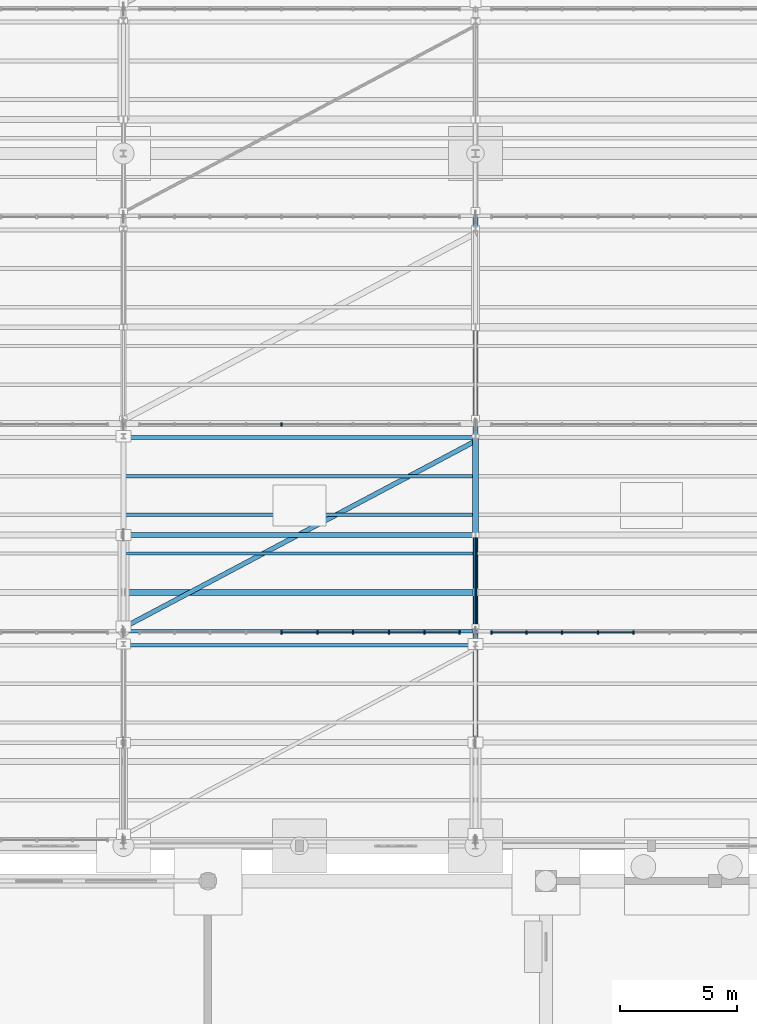
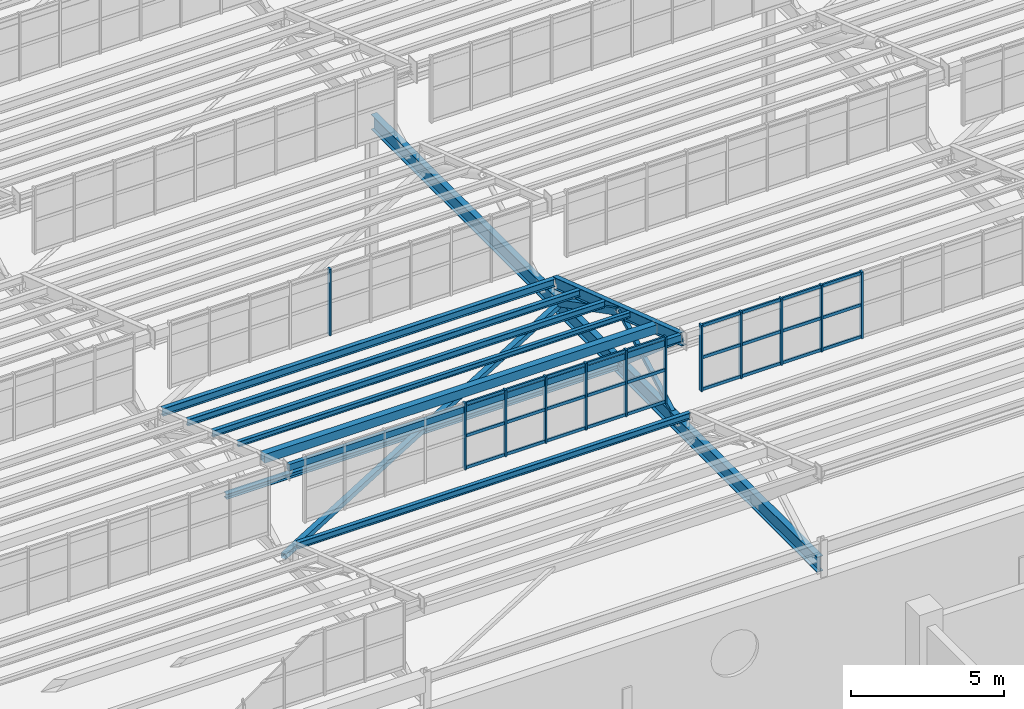
# One storey, part 84 of 285: 44 members, 9 beams, 3 elements without a shape of their own.
"""IFC4 building model written with IfcOpenShell, lengths in metres."""

from ifc_helpers import new_model, si_unit, direction, frame, origin, origin_2d, place, context, subcontext, project, spatial, rectangle, hollow_rectangle, i_section, extrude, material, material_profile, profile_set, type_object, element, aggregate, save


model = new_model("IFC4")

# Units and contexts
model_context = context("Model", 3, precision=1e-05, world=origin(), true_north=direction((0.0, 1.0)))
body_context = subcontext(model_context, "Body", "Model", "MODEL_VIEW")
ifc_project = project(units=[si_unit("LENGTHUNIT", "METRE"), si_unit("AREAUNIT", "SQUARE_METRE"), si_unit("VOLUMEUNIT", "CUBIC_METRE"), si_unit("PLANEANGLEUNIT", "RADIAN"), si_unit("MASSUNIT", "GRAM", prefix="KILO")], contexts=[model_context])

# Site, building, storey
site_placement = place(None, origin())
site = spatial("IfcSite", under=ifc_project, at=site_placement, CompositionType="ELEMENT")
building_placement = place(site_placement, origin())
building = spatial("IfcBuilding", under=site, at=building_placement, Name="Solanera Park Tramway Depot", CompositionType="ELEMENT")
storey_placement = place(building_placement, origin())
storey = spatial("IfcBuildingStorey", under=building, at=storey_placement, Name="L00", CompositionType="ELEMENT", Elevation=0.0)

# Curtain wall, members
ifc_material_1 = material(Name="Bronze-anodised thermally broken aluminium curtain wall", Category="aluminium")
curtain_wall_type = type_object("IfcCurtainWallType", Name="Sawtooth Clerestory Monitor Curtain Wall", PredefinedType="NOTDEFINED", material=ifc_material_1)
curtain_wall_1_placement = place(storey_placement, origin())
curtain_wall_1 = element("IfcCurtainWall", 1, at=curtain_wall_1_placement, inside=storey, type_object=curtain_wall_type, Name="L00 Sawtooth Clerestory Monitor Curtain Wall #009", PredefinedType="NOTDEFINED")
ifc_material_2 = material(Name="Bronze-anodised structural aluminium 6063-T6", Category="aluminium")
ifc_material_profile_1 = material_profile(ifc_material_2, rectangle(XDim=0.06494140625, YDim=0.14990234375, at=origin_2d()), Name="Curtain Wall Mullion 65x150")
ifc_profile_set_1 = profile_set([ifc_material_profile_1], Name="Bronze-anodised structural aluminium 6063-T6")
member_type_1 = type_object("IfcMemberType", Name="Curtain Wall Mullion 65x150", PredefinedType="MULLION", material=ifc_profile_set_1)
member_1_placement = place(storey_placement, frame((96.739013671875, 64.60009765625, 7.75), z_axis=(0.0, 0.0, 1.0), x_axis=(1.0, 0.0, 0.0)))
member_1 = element("IfcMember", 2, at=member_1_placement, type_object=member_type_1, Name="CW-L00-009 Mullion 5", PredefinedType="MULLION", context=body_context, shape_type="SweptSolid", body=[
    extrude(rectangle(XDim=0.06494140625, YDim=0.14990234375, at=origin_2d()), origin(), (0.0, 0.0, 1.0), 2.6611328125),
])
member_2_placement = place(storey_placement, frame((98.260986328125, 64.60009765625, 7.75), z_axis=(0.0, 0.0, 1.0), x_axis=(1.0, 0.0, 0.0)))
member_2 = element("IfcMember", 3, at=member_2_placement, type_object=member_type_1, Name="CW-L00-009 Mullion 6", PredefinedType="MULLION", context=body_context, shape_type="SweptSolid", body=[
    extrude(rectangle(XDim=0.06494140625, YDim=0.14990234375, at=origin_2d()), origin(), (0.0, 0.0, 1.0), 2.6611328125),
])
member_3_placement = place(storey_placement, frame((99.783203125, 64.60009765625, 7.75), z_axis=(0.0, 0.0, 1.0), x_axis=(1.0, 0.0, 0.0)))
member_3 = element("IfcMember", 4, at=member_3_placement, type_object=member_type_1, Name="CW-L00-009 Mullion 7", PredefinedType="MULLION", context=body_context, shape_type="SweptSolid", body=[
    extrude(rectangle(XDim=0.06494140625, YDim=0.14990234375, at=origin_2d()), origin(), (0.0, 0.0, 1.0), 2.6611328125),
])
member_4_placement = place(storey_placement, frame((101.3056640625, 64.60009765625, 7.75), z_axis=(0.0, 0.0, 1.0), x_axis=(1.0, 0.0, 0.0)))
member_4 = element("IfcMember", 5, at=member_4_placement, type_object=member_type_1, Name="CW-L00-009 Mullion 8", PredefinedType="MULLION", context=body_context, shape_type="SweptSolid", body=[
    extrude(rectangle(XDim=0.06494140625, YDim=0.14990234375, at=origin_2d()), origin(), (0.0, 0.0, 1.0), 2.6611328125),
])
member_5_placement = place(storey_placement, frame((102.827880859375, 64.60009765625, 7.75), z_axis=(0.0, 0.0, 1.0), x_axis=(1.0, 0.0, 0.0)))
member_5 = element("IfcMember", 6, at=member_5_placement, type_object=member_type_1, Name="CW-L00-009 Mullion 9", PredefinedType="MULLION", context=body_context, shape_type="SweptSolid", body=[
    extrude(rectangle(XDim=0.06494140625, YDim=0.14990234375, at=origin_2d()), origin(), (0.0, 0.0, 1.0), 2.6611328125),
])
member_6_placement = place(storey_placement, frame((104.3173828125, 64.60009765625, 7.75), z_axis=(0.0, 0.0, 1.0), x_axis=(1.0, 0.0, 0.0)))
member_6 = element("IfcMember", 7, at=member_6_placement, type_object=member_type_1, Name="CW-L00-009 Mullion 10", PredefinedType="MULLION", context=body_context, shape_type="SweptSolid", body=[
    extrude(rectangle(XDim=0.06494140625, YDim=0.14990234375, at=origin_2d()), origin(), (0.0, 0.0, 1.0), 2.6611328125),
])

curtain_wall_2_placement = place(storey_placement, origin())
curtain_wall_2 = element("IfcCurtainWall", 8, at=curtain_wall_2_placement, inside=storey, type_object=curtain_wall_type, Name="L00 Sawtooth Clerestory Monitor Curtain Wall #010", PredefinedType="NOTDEFINED")
member_7_placement = place(storey_placement, frame((105.6826171875, 64.60009765625, 7.75), z_axis=(0.0, 0.0, 1.0), x_axis=(1.0, 0.0, 0.0)))
member_7 = element("IfcMember", 9, at=member_7_placement, type_object=member_type_1, Name="CW-L00-010 Mullion 1", PredefinedType="MULLION", context=body_context, shape_type="SweptSolid", body=[
    extrude(rectangle(XDim=0.06494140625, YDim=0.14990234375, at=origin_2d()), origin(), (0.0, 0.0, 1.0), 2.6611328125),
])
member_8_placement = place(storey_placement, frame((107.172119140625, 64.60009765625, 7.75), z_axis=(0.0, 0.0, 1.0), x_axis=(1.0, 0.0, 0.0)))
member_8 = element("IfcMember", 10, at=member_8_placement, type_object=member_type_1, Name="CW-L00-010 Mullion 2", PredefinedType="MULLION", context=body_context, shape_type="SweptSolid", body=[
    extrude(rectangle(XDim=0.06494140625, YDim=0.14990234375, at=origin_2d()), origin(), (0.0, 0.0, 1.0), 2.6611328125),
])
member_9_placement = place(storey_placement, frame((108.6943359375, 64.60009765625, 7.75), z_axis=(0.0, 0.0, 1.0), x_axis=(1.0, 0.0, 0.0)))
member_9 = element("IfcMember", 11, at=member_9_placement, type_object=member_type_1, Name="CW-L00-010 Mullion 3", PredefinedType="MULLION", context=body_context, shape_type="SweptSolid", body=[
    extrude(rectangle(XDim=0.06494140625, YDim=0.14990234375, at=origin_2d()), origin(), (0.0, 0.0, 1.0), 2.6611328125),
])
member_10_placement = place(storey_placement, frame((110.216796875, 64.60009765625, 7.75), z_axis=(0.0, 0.0, 1.0), x_axis=(1.0, 0.0, 0.0)))
member_10 = element("IfcMember", 12, at=member_10_placement, type_object=member_type_1, Name="CW-L00-010 Mullion 4", PredefinedType="MULLION", context=body_context, shape_type="SweptSolid", body=[
    extrude(rectangle(XDim=0.06494140625, YDim=0.14990234375, at=origin_2d()), origin(), (0.0, 0.0, 1.0), 2.6611328125),
])
member_11_placement = place(storey_placement, frame((111.739013671875, 64.60009765625, 7.75), z_axis=(0.0, 0.0, 1.0), x_axis=(1.0, 0.0, 0.0)))
member_11 = element("IfcMember", 13, at=member_11_placement, type_object=member_type_1, Name="CW-L00-010 Mullion 5", PredefinedType="MULLION", context=body_context, shape_type="SweptSolid", body=[
    extrude(rectangle(XDim=0.06494140625, YDim=0.14990234375, at=origin_2d()), origin(), (0.0, 0.0, 1.0), 2.6611328125),
])

# Curtain wall, member
curtain_wall_3_placement = place(storey_placement, origin())
curtain_wall_3 = element("IfcCurtainWall", 14, at=curtain_wall_3_placement, inside=storey, type_object=curtain_wall_type, Name="L00 Sawtooth Clerestory Monitor Curtain Wall #017", PredefinedType="NOTDEFINED")
member_12_placement = place(storey_placement, frame((96.739013671875, 73.449951171875, 7.75), z_axis=(0.0, 0.0, 1.0), x_axis=(1.0, 0.0, 0.0)))
member_12 = element("IfcMember", 15, at=member_12_placement, type_object=member_type_1, Name="CW-L00-017 Mullion 5", PredefinedType="MULLION", context=body_context, shape_type="SweptSolid", body=[
    extrude(rectangle(XDim=0.06494140625, YDim=0.14990234375, at=origin_2d()), origin(), (0.0, 0.0, 1.0), 2.6611328125),
])
aggregate(curtain_wall_3, [member_12])

# Member
ifc_material_3 = material(Name="Bronze-anodised structural aluminium 6063-T6", Category="aluminium")
ifc_material_profile_2 = material_profile(ifc_material_3, rectangle(XDim=0.06494140625, YDim=0.1201171875, at=origin_2d()), Name="Curtain Wall Transom 65x120")
ifc_profile_set_2 = profile_set([ifc_material_profile_2], Name="Bronze-anodised structural aluminium 6063-T6")
member_type_2 = type_object("IfcMemberType", Name="Curtain Wall Transom 65x120", PredefinedType="USERDEFINED", material=ifc_profile_set_2)
member_13_placement = place(storey_placement, frame((96.766845703125, 64.60009765625, 7.81005859375), z_axis=(1.0, 0.0, 0.0), x_axis=(0.0, 1.0, 0.0)))
member_13 = element("IfcMember", 16, at=member_13_placement, type_object=member_type_2, Name="CW-L00-009 Transom R1.C5", ObjectType="TRANSOM", PredefinedType="USERDEFINED", context=body_context, shape_type="SweptSolid", body=[
    extrude(rectangle(XDim=0.06494140625, YDim=0.1201171875, at=origin_2d()), origin(), (0.0, 0.0, 1.0), 1.46630859375),
])

member_14_placement = place(storey_placement, frame((98.2890625, 64.60009765625, 7.81005859375), z_axis=(1.0, 0.0, 0.0), x_axis=(0.0, 1.0, 0.0)))
member_14 = element("IfcMember", 17, at=member_14_placement, type_object=member_type_2, Name="CW-L00-009 Transom R1.C6", ObjectType="TRANSOM", PredefinedType="USERDEFINED", context=body_context, shape_type="SweptSolid", body=[
    extrude(rectangle(XDim=0.06494140625, YDim=0.1201171875, at=origin_2d()), origin(), (0.0, 0.0, 1.0), 1.46630859375),
])

member_15_placement = place(storey_placement, frame((99.811279296875, 64.60009765625, 7.81005859375), z_axis=(1.0, 0.0, 0.0), x_axis=(0.0, 1.0, 0.0)))
member_15 = element("IfcMember", 18, at=member_15_placement, type_object=member_type_2, Name="CW-L00-009 Transom R1.C7", ObjectType="TRANSOM", PredefinedType="USERDEFINED", context=body_context, shape_type="SweptSolid", body=[
    extrude(rectangle(XDim=0.06494140625, YDim=0.1201171875, at=origin_2d()), origin(), (0.0, 0.0, 1.0), 1.46630859375),
])

member_16_placement = place(storey_placement, frame((101.33349609375, 64.60009765625, 7.81005859375), z_axis=(1.0, 0.0, 0.0), x_axis=(0.0, 1.0, 0.0)))
member_16 = element("IfcMember", 19, at=member_16_placement, type_object=member_type_2, Name="CW-L00-009 Transom R1.C8", ObjectType="TRANSOM", PredefinedType="USERDEFINED", context=body_context, shape_type="SweptSolid", body=[
    extrude(rectangle(XDim=0.06494140625, YDim=0.1201171875, at=origin_2d()), origin(), (0.0, 0.0, 1.0), 1.46630859375),
])

member_17_placement = place(storey_placement, frame((102.855712890625, 64.60009765625, 7.81005859375), z_axis=(1.0, 0.0, 0.0), x_axis=(0.0, 1.0, 0.0)))
member_17 = element("IfcMember", 20, at=member_17_placement, type_object=member_type_2, Name="CW-L00-009 Transom R1.C9", ObjectType="TRANSOM", PredefinedType="USERDEFINED", context=body_context, shape_type="SweptSolid", body=[
    extrude(rectangle(XDim=0.06494140625, YDim=0.1201171875, at=origin_2d()), origin(), (0.0, 0.0, 1.0), 1.433837890625),
])

member_18_placement = place(storey_placement, frame((96.766845703125, 64.60009765625, 9.08056640625), z_axis=(1.0, 0.0, 0.0), x_axis=(0.0, 1.0, 0.0)))
member_18 = element("IfcMember", 21, at=member_18_placement, type_object=member_type_2, Name="CW-L00-009 Transom R2.C5", ObjectType="TRANSOM", PredefinedType="USERDEFINED", context=body_context, shape_type="SweptSolid", body=[
    extrude(rectangle(XDim=0.06494140625, YDim=0.1201171875, at=origin_2d()), origin(), (0.0, 0.0, 1.0), 1.46630859375),
])

member_19_placement = place(storey_placement, frame((98.2890625, 64.60009765625, 9.08056640625), z_axis=(1.0, 0.0, 0.0), x_axis=(0.0, 1.0, 0.0)))
member_19 = element("IfcMember", 22, at=member_19_placement, type_object=member_type_2, Name="CW-L00-009 Transom R2.C6", ObjectType="TRANSOM", PredefinedType="USERDEFINED", context=body_context, shape_type="SweptSolid", body=[
    extrude(rectangle(XDim=0.06494140625, YDim=0.1201171875, at=origin_2d()), origin(), (0.0, 0.0, 1.0), 1.46630859375),
])

member_20_placement = place(storey_placement, frame((99.811279296875, 64.60009765625, 9.08056640625), z_axis=(1.0, 0.0, 0.0), x_axis=(0.0, 1.0, 0.0)))
member_20 = element("IfcMember", 23, at=member_20_placement, type_object=member_type_2, Name="CW-L00-009 Transom R2.C7", ObjectType="TRANSOM", PredefinedType="USERDEFINED", context=body_context, shape_type="SweptSolid", body=[
    extrude(rectangle(XDim=0.06494140625, YDim=0.1201171875, at=origin_2d()), origin(), (0.0, 0.0, 1.0), 1.46630859375),
])

member_21_placement = place(storey_placement, frame((101.33349609375, 64.60009765625, 9.08056640625), z_axis=(1.0, 0.0, 0.0), x_axis=(0.0, 1.0, 0.0)))
member_21 = element("IfcMember", 24, at=member_21_placement, type_object=member_type_2, Name="CW-L00-009 Transom R2.C8", ObjectType="TRANSOM", PredefinedType="USERDEFINED", context=body_context, shape_type="SweptSolid", body=[
    extrude(rectangle(XDim=0.06494140625, YDim=0.1201171875, at=origin_2d()), origin(), (0.0, 0.0, 1.0), 1.46630859375),
])

member_22_placement = place(storey_placement, frame((102.855712890625, 64.60009765625, 9.08056640625), z_axis=(1.0, 0.0, 0.0), x_axis=(0.0, 1.0, 0.0)))
member_22 = element("IfcMember", 25, at=member_22_placement, type_object=member_type_2, Name="CW-L00-009 Transom R2.C9", ObjectType="TRANSOM", PredefinedType="USERDEFINED", context=body_context, shape_type="SweptSolid", body=[
    extrude(rectangle(XDim=0.06494140625, YDim=0.1201171875, at=origin_2d()), origin(), (0.0, 0.0, 1.0), 1.433837890625),
])

member_23_placement = place(storey_placement, frame((96.766845703125, 64.60009765625, 10.351318359375), z_axis=(1.0, 0.0, 0.0), x_axis=(0.0, 1.0, 0.0)))
member_23 = element("IfcMember", 26, at=member_23_placement, type_object=member_type_2, Name="CW-L00-009 Transom R3.C5", ObjectType="TRANSOM", PredefinedType="USERDEFINED", context=body_context, shape_type="SweptSolid", body=[
    extrude(rectangle(XDim=0.06494140625, YDim=0.1201171875, at=origin_2d()), origin(), (0.0, 0.0, 1.0), 1.46630859375),
])

member_24_placement = place(storey_placement, frame((98.2890625, 64.60009765625, 10.351318359375), z_axis=(1.0, 0.0, 0.0), x_axis=(0.0, 1.0, 0.0)))
member_24 = element("IfcMember", 27, at=member_24_placement, type_object=member_type_2, Name="CW-L00-009 Transom R3.C6", ObjectType="TRANSOM", PredefinedType="USERDEFINED", context=body_context, shape_type="SweptSolid", body=[
    extrude(rectangle(XDim=0.06494140625, YDim=0.1201171875, at=origin_2d()), origin(), (0.0, 0.0, 1.0), 1.46630859375),
])

member_25_placement = place(storey_placement, frame((99.811279296875, 64.60009765625, 10.351318359375), z_axis=(1.0, 0.0, 0.0), x_axis=(0.0, 1.0, 0.0)))
member_25 = element("IfcMember", 28, at=member_25_placement, type_object=member_type_2, Name="CW-L00-009 Transom R3.C7", ObjectType="TRANSOM", PredefinedType="USERDEFINED", context=body_context, shape_type="SweptSolid", body=[
    extrude(rectangle(XDim=0.06494140625, YDim=0.1201171875, at=origin_2d()), origin(), (0.0, 0.0, 1.0), 1.46630859375),
])

member_26_placement = place(storey_placement, frame((101.33349609375, 64.60009765625, 10.351318359375), z_axis=(1.0, 0.0, 0.0), x_axis=(0.0, 1.0, 0.0)))
member_26 = element("IfcMember", 29, at=member_26_placement, type_object=member_type_2, Name="CW-L00-009 Transom R3.C8", ObjectType="TRANSOM", PredefinedType="USERDEFINED", context=body_context, shape_type="SweptSolid", body=[
    extrude(rectangle(XDim=0.06494140625, YDim=0.1201171875, at=origin_2d()), origin(), (0.0, 0.0, 1.0), 1.46630859375),
])

member_27_placement = place(storey_placement, frame((102.855712890625, 64.60009765625, 10.351318359375), z_axis=(1.0, 0.0, 0.0), x_axis=(0.0, 1.0, 0.0)))
member_27 = element("IfcMember", 30, at=member_27_placement, type_object=member_type_2, Name="CW-L00-009 Transom R3.C9", ObjectType="TRANSOM", PredefinedType="USERDEFINED", context=body_context, shape_type="SweptSolid", body=[
    extrude(rectangle(XDim=0.06494140625, YDim=0.1201171875, at=origin_2d()), origin(), (0.0, 0.0, 1.0), 1.433837890625),
])

aggregate(curtain_wall_1, [member_1, member_2, member_3, member_4, member_5, member_6, member_13, member_14, member_15, member_16, member_17, member_18, member_19, member_20, member_21, member_22, member_23, member_24, member_25, member_26, member_27])

member_28_placement = place(storey_placement, frame((105.71044921875, 64.60009765625, 7.81005859375), z_axis=(1.0, 0.0, 0.0), x_axis=(0.0, 1.0, 0.0)))
member_28 = element("IfcMember", 31, at=member_28_placement, type_object=member_type_2, Name="CW-L00-010 Transom R1.C1", ObjectType="TRANSOM", PredefinedType="USERDEFINED", context=body_context, shape_type="SweptSolid", body=[
    extrude(rectangle(XDim=0.06494140625, YDim=0.1201171875, at=origin_2d()), origin(), (0.0, 0.0, 1.0), 1.433837890625),
])

member_29_placement = place(storey_placement, frame((107.2001953125, 64.60009765625, 7.81005859375), z_axis=(1.0, 0.0, 0.0), x_axis=(0.0, 1.0, 0.0)))
member_29 = element("IfcMember", 32, at=member_29_placement, type_object=member_type_2, Name="CW-L00-010 Transom R1.C2", ObjectType="TRANSOM", PredefinedType="USERDEFINED", context=body_context, shape_type="SweptSolid", body=[
    extrude(rectangle(XDim=0.06494140625, YDim=0.1201171875, at=origin_2d()), origin(), (0.0, 0.0, 1.0), 1.46630859375),
])

member_30_placement = place(storey_placement, frame((108.722412109375, 64.60009765625, 7.81005859375), z_axis=(1.0, 0.0, 0.0), x_axis=(0.0, 1.0, 0.0)))
member_30 = element("IfcMember", 33, at=member_30_placement, type_object=member_type_2, Name="CW-L00-010 Transom R1.C3", ObjectType="TRANSOM", PredefinedType="USERDEFINED", context=body_context, shape_type="SweptSolid", body=[
    extrude(rectangle(XDim=0.06494140625, YDim=0.1201171875, at=origin_2d()), origin(), (0.0, 0.0, 1.0), 1.46630859375),
])

member_31_placement = place(storey_placement, frame((110.24462890625, 64.60009765625, 7.81005859375), z_axis=(1.0, 0.0, 0.0), x_axis=(0.0, 1.0, 0.0)))
member_31 = element("IfcMember", 34, at=member_31_placement, type_object=member_type_2, Name="CW-L00-010 Transom R1.C4", ObjectType="TRANSOM", PredefinedType="USERDEFINED", context=body_context, shape_type="SweptSolid", body=[
    extrude(rectangle(XDim=0.06494140625, YDim=0.1201171875, at=origin_2d()), origin(), (0.0, 0.0, 1.0), 1.46630859375),
])

member_32_placement = place(storey_placement, frame((105.71044921875, 64.60009765625, 9.08056640625), z_axis=(1.0, 0.0, 0.0), x_axis=(0.0, 1.0, 0.0)))
member_32 = element("IfcMember", 35, at=member_32_placement, type_object=member_type_2, Name="CW-L00-010 Transom R2.C1", ObjectType="TRANSOM", PredefinedType="USERDEFINED", context=body_context, shape_type="SweptSolid", body=[
    extrude(rectangle(XDim=0.06494140625, YDim=0.1201171875, at=origin_2d()), origin(), (0.0, 0.0, 1.0), 1.433837890625),
])

member_33_placement = place(storey_placement, frame((107.2001953125, 64.60009765625, 9.08056640625), z_axis=(1.0, 0.0, 0.0), x_axis=(0.0, 1.0, 0.0)))
member_33 = element("IfcMember", 36, at=member_33_placement, type_object=member_type_2, Name="CW-L00-010 Transom R2.C2", ObjectType="TRANSOM", PredefinedType="USERDEFINED", context=body_context, shape_type="SweptSolid", body=[
    extrude(rectangle(XDim=0.06494140625, YDim=0.1201171875, at=origin_2d()), origin(), (0.0, 0.0, 1.0), 1.46630859375),
])

member_34_placement = place(storey_placement, frame((108.722412109375, 64.60009765625, 9.08056640625), z_axis=(1.0, 0.0, 0.0), x_axis=(0.0, 1.0, 0.0)))
member_34 = element("IfcMember", 37, at=member_34_placement, type_object=member_type_2, Name="CW-L00-010 Transom R2.C3", ObjectType="TRANSOM", PredefinedType="USERDEFINED", context=body_context, shape_type="SweptSolid", body=[
    extrude(rectangle(XDim=0.06494140625, YDim=0.1201171875, at=origin_2d()), origin(), (0.0, 0.0, 1.0), 1.46630859375),
])

member_35_placement = place(storey_placement, frame((110.24462890625, 64.60009765625, 9.08056640625), z_axis=(1.0, 0.0, 0.0), x_axis=(0.0, 1.0, 0.0)))
member_35 = element("IfcMember", 38, at=member_35_placement, type_object=member_type_2, Name="CW-L00-010 Transom R2.C4", ObjectType="TRANSOM", PredefinedType="USERDEFINED", context=body_context, shape_type="SweptSolid", body=[
    extrude(rectangle(XDim=0.06494140625, YDim=0.1201171875, at=origin_2d()), origin(), (0.0, 0.0, 1.0), 1.46630859375),
])

member_36_placement = place(storey_placement, frame((105.71044921875, 64.60009765625, 10.351318359375), z_axis=(1.0, 0.0, 0.0), x_axis=(0.0, 1.0, 0.0)))
member_36 = element("IfcMember", 39, at=member_36_placement, type_object=member_type_2, Name="CW-L00-010 Transom R3.C1", ObjectType="TRANSOM", PredefinedType="USERDEFINED", context=body_context, shape_type="SweptSolid", body=[
    extrude(rectangle(XDim=0.06494140625, YDim=0.1201171875, at=origin_2d()), origin(), (0.0, 0.0, 1.0), 1.433837890625),
])

member_37_placement = place(storey_placement, frame((107.2001953125, 64.60009765625, 10.351318359375), z_axis=(1.0, 0.0, 0.0), x_axis=(0.0, 1.0, 0.0)))
member_37 = element("IfcMember", 40, at=member_37_placement, type_object=member_type_2, Name="CW-L00-010 Transom R3.C2", ObjectType="TRANSOM", PredefinedType="USERDEFINED", context=body_context, shape_type="SweptSolid", body=[
    extrude(rectangle(XDim=0.06494140625, YDim=0.1201171875, at=origin_2d()), origin(), (0.0, 0.0, 1.0), 1.46630859375),
])

member_38_placement = place(storey_placement, frame((108.722412109375, 64.60009765625, 10.351318359375), z_axis=(1.0, 0.0, 0.0), x_axis=(0.0, 1.0, 0.0)))
member_38 = element("IfcMember", 41, at=member_38_placement, type_object=member_type_2, Name="CW-L00-010 Transom R3.C3", ObjectType="TRANSOM", PredefinedType="USERDEFINED", context=body_context, shape_type="SweptSolid", body=[
    extrude(rectangle(XDim=0.06494140625, YDim=0.1201171875, at=origin_2d()), origin(), (0.0, 0.0, 1.0), 1.46630859375),
])

member_39_placement = place(storey_placement, frame((110.24462890625, 64.60009765625, 10.351318359375), z_axis=(1.0, 0.0, 0.0), x_axis=(0.0, 1.0, 0.0)))
member_39 = element("IfcMember", 42, at=member_39_placement, type_object=member_type_2, Name="CW-L00-010 Transom R3.C4", ObjectType="TRANSOM", PredefinedType="USERDEFINED", context=body_context, shape_type="SweptSolid", body=[
    extrude(rectangle(XDim=0.06494140625, YDim=0.1201171875, at=origin_2d()), origin(), (0.0, 0.0, 1.0), 1.46630859375),
])

aggregate(curtain_wall_2, [member_7, member_8, member_9, member_10, member_11, member_28, member_29, member_30, member_31, member_32, member_33, member_34, member_35, member_36, member_37, member_38, member_39])

# Members
ifc_material_4 = material(Name="Steel AS/NZS 1163 Grade C350L0", Category="steel")
ifc_material_profile_3 = material_profile(ifc_material_4, hollow_rectangle(XDim=0.14990234375, YDim=0.14990234375, WallThickness=0.006103515625, at=origin_2d()), Name="150x150x6.0 SHS")
ifc_profile_set_3 = profile_set([ifc_material_profile_3], Name="Steel AS/NZS 1163 Grade C350L0")
member_type_3 = type_object("IfcMemberType", Name="Roof Gantry Compression Strut 150x150x6.0 SHS", PredefinedType="STRUT", material=ifc_profile_set_3)
member_40_placement = place(storey_placement, frame((105.0, 64.85009765625, 6.5), z_axis=(0.0, 0.874074669389, 0.485791593517), x_axis=(-1.0, 0.0, 0.0)))
element("IfcMember", 43, at=member_40_placement, inside=storey, type_object=member_type_3, Name="Sawtooth ROOF TRUSS Strut 150x150x6.0 SHS #0066", PredefinedType="STRUT", context=body_context, shape_type="SweptSolid", body=[
    extrude(hollow_rectangle(XDim=0.14990234375, YDim=0.14990234375, WallThickness=0.006103515625, at=origin_2d()), origin(), (0.0, 0.0, 1.0), 4.461669921875),
])
ifc_material_5 = material(Name="Steel AS/NZS 3679.1 Grade 350", Category="steel")
ifc_material_profile_4 = material_profile(ifc_material_5, i_section(OverallWidth=0.203369140625, OverallDepth=0.203369140625, WebThickness=0.00732421875, FlangeThickness=0.010986328125, at=origin_2d()), Name="200UC46.2")
ifc_profile_set_4 = profile_set([ifc_material_profile_4], Name="Steel AS/NZS 3679.1 Grade 350")
member_type_4 = type_object("IfcMemberType", Name="Secondary Truss Chord 200UC46.2", PredefinedType="CHORD", material=ifc_profile_set_4)
member_41_placement = place(storey_placement, frame((90.087890625, 68.75, 6.5), z_axis=(1.0, 0.0, 0.0), x_axis=(0.0, 1.0, 0.0)))
element("IfcMember", 44, at=member_41_placement, inside=storey, type_object=member_type_4, Name="Sawtooth Longitudinal Tie Chord 200UC46.2 #0080", PredefinedType="CHORD", context=body_context, shape_type="SweptSolid", body=[
    extrude(i_section(OverallWidth=0.203369140625, OverallDepth=0.203369140625, WebThickness=0.00732421875, FlangeThickness=0.010986328125, at=origin_2d()), origin(), (0.0, 0.0, 1.0), 14.82421875),
])

# Beams
ifc_material_6 = material(Name="Steel AS/NZS 3679.1 Grade 350", Category="steel")
ifc_material_profile_5 = material_profile(ifc_material_6, i_section(OverallWidth=0.1904296875, OverallDepth=0.45751953125, WebThickness=0.009033203125, FlangeThickness=0.014404296875, at=origin_2d()), Name="460UB74.6")
ifc_profile_set_5 = profile_set([ifc_material_profile_5], Name="Steel AS/NZS 3679.1 Grade 350")
beam_type_1 = type_object("IfcBeamType", Name="Steel Beam 460UB74.6", PredefinedType="BEAM", material=ifc_profile_set_5)
beam_1_placement = place(storey_placement, frame((105.0, 64.60009765625, 10.05615234375), z_axis=(0.0, 0.948319437663, -0.317317261034), x_axis=(-1.0, 0.0, 0.0)))
element("IfcBeam", 45, at=beam_1_placement, inside=storey, type_object=beam_type_1, Name="Sawtooth ROOF TRUSS Top Rafter 460UB74.6 B02-T7", PredefinedType="BEAM", context=body_context, shape_type="SweptSolid", body=[
    extrude(i_section(OverallWidth=0.1904296875, OverallDepth=0.45751953125, WebThickness=0.009033203125, FlangeThickness=0.014404296875, at=origin_2d()), origin(), (0.0, 0.0, 1.0), 8.804931640625),
])
ifc_material_7 = material(Name="Steel AS/NZS 3679.1 Grade 350", Category="steel")
ifc_material_profile_6 = material_profile(ifc_material_7, i_section(OverallWidth=0.22900390625, OverallDepth=0.611572265625, WebThickness=0.011962890625, FlangeThickness=0.01953125, at=origin_2d()), Name="610UB125")
ifc_profile_set_6 = profile_set([ifc_material_profile_6], Name="Steel AS/NZS 3679.1 Grade 350")
beam_type_2 = type_object("IfcBeamType", Name="Steel Beam 610UB125", PredefinedType="BEAM", material=ifc_profile_set_6)
beam_2_placement = place(storey_placement, frame((105.0, 55.6279296875, 6.5), z_axis=(0.0, 1.0, 0.0), x_axis=(-1.0, 0.0, 0.0)))
element("IfcBeam", 46, at=beam_2_placement, inside=storey, type_object=beam_type_2, Name="Sawtooth ROOF TRUSS Bottom Chord 610UB125 #0388", PredefinedType="BEAM", context=body_context, shape_type="SweptSolid", body=[
    extrude(i_section(OverallWidth=0.22900390625, OverallDepth=0.611572265625, WebThickness=0.011962890625, FlangeThickness=0.01953125, at=origin_2d()), origin(), (0.0, 0.0, 1.0), 29.21875),
])
ifc_material_8 = material(Name="Steel AS/NZS 3679.1 Grade 350", Category="steel")
ifc_material_profile_7 = material_profile(ifc_material_8, i_section(OverallWidth=0.13330078125, OverallDepth=0.203125, WebThickness=0.005859375, FlangeThickness=0.0078125, at=origin_2d()), Name="200UB25.4")
ifc_profile_set_7 = profile_set([ifc_material_profile_7], Name="Steel AS/NZS 3679.1 Grade 350")
beam_type_3 = type_object("IfcBeamType", Name="Steel Joist Purlin 200UB25.4", PredefinedType="JOIST", material=ifc_profile_set_7)
beam_3_placement = place(storey_placement, frame((90.080810546875, 67.949951171875, 9.06201171875), z_axis=(1.0, 0.0, 0.0), x_axis=(0.0, 1.0, 0.0)))
element("IfcBeam", 47, at=beam_3_placement, inside=storey, type_object=beam_type_3, Name="Sawtooth Roof Purlin 200UB25.4 B02.3", PredefinedType="JOIST", context=body_context, shape_type="SweptSolid", body=[
    extrude(i_section(OverallWidth=0.13330078125, OverallDepth=0.203125, WebThickness=0.005859375, FlangeThickness=0.0078125, at=origin_2d()), origin(), (0.0, 0.0, 1.0), 14.83203125),
])
ifc_material_9 = material(Name="Steel AS/NZS 3679.1 Grade 350", Category="steel")
ifc_material_profile_8 = material_profile(ifc_material_9, i_section(OverallWidth=0.14599609375, OverallDepth=0.251708984375, WebThickness=0.006103515625, FlangeThickness=0.008544921875, at=origin_2d()), Name="250UB31.4")
ifc_profile_set_8 = profile_set([ifc_material_profile_8], Name="Steel AS/NZS 3679.1 Grade 350")
beam_type_4 = type_object("IfcBeamType", Name="Steel Joist Purlin 250UB31.4", PredefinedType="JOIST", material=ifc_profile_set_8)
beam_4_placement = place(storey_placement, frame((90.080810546875, 69.60009765625, 8.483642578125), z_axis=(1.0, 0.0, 0.0), x_axis=(0.0, 1.0, 0.0)))
element("IfcBeam", 48, at=beam_4_placement, inside=storey, type_object=beam_type_4, Name="Sawtooth Roof Purlin 250UB31.4 B02.4", PredefinedType="JOIST", context=body_context, shape_type="SweptSolid", body=[
    extrude(i_section(OverallWidth=0.14599609375, OverallDepth=0.251708984375, WebThickness=0.006103515625, FlangeThickness=0.008544921875, at=origin_2d()), origin(), (0.0, 0.0, 1.0), 14.83203125),
])
ifc_material_10 = material(Name="Steel AS/NZS 3679.1 Grade 350", Category="steel")
ifc_material_profile_9 = material_profile(ifc_material_10, i_section(OverallWidth=0.146484375, OverallDepth=0.256103515625, WebThickness=0.00634765625, FlangeThickness=0.010986328125, at=origin_2d()), Name="250UB37.3")
ifc_profile_set_9 = profile_set([ifc_material_profile_9], Name="Steel AS/NZS 3679.1 Grade 350")
beam_type_5 = type_object("IfcBeamType", Name="Steel Joist Purlin 250UB37.3", PredefinedType="JOIST", material=ifc_profile_set_9)
beam_5_placement = place(storey_placement, frame((90.077880859375, 64.050048828125, 7.377197265625), z_axis=(1.0, 0.0, 0.0), x_axis=(0.0, 1.0, 0.0)))
element("IfcBeam", 49, at=beam_5_placement, inside=storey, type_object=beam_type_5, Name="Sawtooth Roof Purlin 250UB37.3 B01.6", PredefinedType="JOIST", context=body_context, shape_type="SweptSolid", body=[
    extrude(i_section(OverallWidth=0.146484375, OverallDepth=0.256103515625, WebThickness=0.00634765625, FlangeThickness=0.010986328125, at=origin_2d()), origin(), (0.0, 0.0, 1.0), 14.84130859375),
])
beam_6_placement = place(storey_placement, frame((90.080810546875, 71.25, 7.92919921875), z_axis=(1.0, 0.0, 0.0), x_axis=(0.0, 1.0, 0.0)))
element("IfcBeam", 50, at=beam_6_placement, inside=storey, type_object=beam_type_5, Name="Sawtooth Roof Purlin 250UB37.3 B02.5", PredefinedType="JOIST", context=body_context, shape_type="SweptSolid", body=[
    extrude(i_section(OverallWidth=0.146484375, OverallDepth=0.256103515625, WebThickness=0.00634765625, FlangeThickness=0.010986328125, at=origin_2d()), origin(), (0.0, 0.0, 1.0), 14.83203125),
])
ifc_material_11 = material(Name="Steel AS/NZS 1163 Grade C350L0", Category="steel")
ifc_material_profile_10 = material_profile(ifc_material_11, hollow_rectangle(XDim=0.14990234375, YDim=0.25, WallThickness=0.008056640625, at=origin_2d()), Name="250x150x8.0 RHS")
ifc_profile_set_10 = profile_set([ifc_material_profile_10], Name="Steel AS/NZS 1163 Grade C350L0")
beam_type_6 = type_object("IfcBeamType", Name="Steel Joist Purlin 250x150x8.0 RHS", PredefinedType="JOIST", material=ifc_profile_set_10)
beam_7_placement = place(storey_placement, frame((90.080810546875, 64.64990234375, 10.139892578125), z_axis=(1.0, 0.0, 0.0), x_axis=(0.0, 1.0, 0.0)))
element("IfcBeam", 51, at=beam_7_placement, inside=storey, type_object=beam_type_6, Name="Sawtooth Roof Purlin 250x150x8.0 RHS B02.1", PredefinedType="JOIST", context=body_context, shape_type="SweptSolid", body=[
    extrude(hollow_rectangle(XDim=0.14990234375, YDim=0.25, WallThickness=0.008056640625, at=origin_2d()), origin(), (0.0, 0.0, 1.0), 14.83203125),
])
ifc_material_12 = material(Name="Steel AS/NZS 3679.1 Grade 350", Category="steel")
ifc_material_profile_11 = material_profile(ifc_material_12, i_section(OverallWidth=0.1650390625, OverallDepth=0.3037109375, WebThickness=0.006103515625, FlangeThickness=0.01025390625, at=origin_2d()), Name="310UB40.4")
ifc_profile_set_11 = profile_set([ifc_material_profile_11], Name="Steel AS/NZS 3679.1 Grade 350")
beam_type_7 = type_object("IfcBeamType", Name="Steel Joist Purlin 310UB40.4", PredefinedType="JOIST", material=ifc_profile_set_11)
beam_8_placement = place(storey_placement, frame((90.080810546875, 72.89990234375, 7.35009765625), z_axis=(1.0, 0.0, 0.0), x_axis=(0.0, 1.0, 0.0)))
element("IfcBeam", 52, at=beam_8_placement, inside=storey, type_object=beam_type_7, Name="Sawtooth Roof Purlin 310UB40.4 B02.6", PredefinedType="JOIST", context=body_context, shape_type="SweptSolid", body=[
    extrude(i_section(OverallWidth=0.1650390625, OverallDepth=0.3037109375, WebThickness=0.006103515625, FlangeThickness=0.01025390625, at=origin_2d()), origin(), (0.0, 0.0, 1.0), 14.83203125),
])
ifc_material_13 = material(Name="Steel AS/NZS 1163 Grade C350L0", Category="steel")
ifc_material_profile_12 = material_profile(ifc_material_13, hollow_rectangle(XDim=0.25, YDim=0.35009765625, WallThickness=0.010009765625, at=origin_2d()), Name="350x250x10.0 RHS")
ifc_profile_set_12 = profile_set([ifc_material_profile_12], Name="Steel AS/NZS 1163 Grade C350L0")
beam_type_8 = type_object("IfcBeamType", Name="Steel Joist Purlin 350x250x10.0 RHS", PredefinedType="JOIST", material=ifc_profile_set_12)
beam_9_placement = place(storey_placement, frame((90.080810546875, 66.300048828125, 9.521240234375), z_axis=(1.0, 0.0, 0.0), x_axis=(0.0, 1.0, 0.0)))
element("IfcBeam", 53, at=beam_9_placement, inside=storey, type_object=beam_type_8, Name="Sawtooth Roof Purlin 350x250x10.0 RHS B02.2", PredefinedType="JOIST", context=body_context, shape_type="SweptSolid", body=[
    extrude(hollow_rectangle(XDim=0.25, YDim=0.35009765625, WallThickness=0.010009765625, at=origin_2d()), origin(), (0.0, 0.0, 1.0), 14.83203125),
])

# Members
ifc_material_14 = material(Name="Steel AS/NZS 1163 Grade C350L0", Category="steel")
ifc_material_profile_13 = material_profile(ifc_material_14, hollow_rectangle(XDim=0.050048828125, YDim=0.14990234375, WallThickness=0.0048828125, at=origin_2d()), Name="150x50x5.0 RHS")
ifc_profile_set_13 = profile_set([ifc_material_profile_13], Name="Steel AS/NZS 1163 Grade C350L0")
member_type_5 = type_object("IfcMemberType", Name="Truss and Frame Brace 150x50x5.0 RHS", PredefinedType="BRACE", material=ifc_profile_set_13)
member_42_placement = place(storey_placement, frame((105.0, 68.75, 6.5), z_axis=(0.0, -0.759338583023, 0.650695717162), x_axis=(1.0, 0.0, 0.0)))
element("IfcMember", 54, at=member_42_placement, inside=storey, type_object=member_type_5, Name="Sawtooth ROOF TRUSS Web Brace 150x50x5.0 RHS #0064", PredefinedType="BRACE", context=body_context, shape_type="SweptSolid", body=[
    extrude(hollow_rectangle(XDim=0.050048828125, YDim=0.14990234375, WallThickness=0.0048828125, at=origin_2d()), origin(), (0.0, 0.0, 1.0), 5.465087890625),
])
ifc_material_15 = material(Name="Steel AS/NZS 1163 Grade C350L0", Category="steel")
ifc_material_profile_14 = material_profile(ifc_material_15, hollow_rectangle(XDim=0.199951171875, YDim=0.199951171875, WallThickness=0.008056640625, at=origin_2d()), Name="200x200x8.0 SHS")
ifc_profile_set_14 = profile_set([ifc_material_profile_14], Name="Steel AS/NZS 1163 Grade C350L0")
member_type_6 = type_object("IfcMemberType", Name="Truss and Frame Brace 200x200x8.0 SHS", PredefinedType="BRACE", material=ifc_profile_set_14)
member_43_placement = place(storey_placement, frame((90.001953125, 64.800048828125, 6.5), z_axis=(0.883523615038, 0.468386615598, 0.0), x_axis=(-0.468386615598, 0.883523615038, 0.0)))
element("IfcMember", 55, at=member_43_placement, inside=storey, type_object=member_type_6, Name="Roof Plane Cyclonic Brace 200x200x8.0 SHS #0081", PredefinedType="BRACE", context=body_context, shape_type="SweptSolid", body=[
    extrude(hollow_rectangle(XDim=0.199951171875, YDim=0.199951171875, WallThickness=0.008056640625, at=origin_2d()), origin(), (0.0, 0.0, 1.0), 16.97314453125),
])
ifc_material_16 = material(Name="Steel AS/NZS 1163 Grade C350L0", Category="steel")
ifc_material_profile_15 = material_profile(ifc_material_16, hollow_rectangle(XDim=0.25, YDim=0.25, WallThickness=0.010009765625, at=origin_2d()), Name="250x250x10.0 SHS")
ifc_profile_set_15 = profile_set([ifc_material_profile_15], Name="Steel AS/NZS 1163 Grade C350L0")
member_type_7 = type_object("IfcMemberType", Name="Truss and Frame Brace 250x250x10.0 SHS", PredefinedType="BRACE", material=ifc_profile_set_15)
member_44_placement = place(storey_placement, frame((105.0, 72.949951171875, 6.5), z_axis=(0.0, -0.888641030015, 0.458603445008), x_axis=(1.0, 0.0, 0.0)))
element("IfcMember", 56, at=member_44_placement, inside=storey, type_object=member_type_7, Name="Sawtooth ROOF TRUSS Diagonal 250x250x10.0 SHS #0065", PredefinedType="BRACE", context=body_context, shape_type="SweptSolid", body=[
    extrude(hollow_rectangle(XDim=0.25, YDim=0.25, WallThickness=0.010009765625, at=origin_2d()), origin(), (0.0, 0.0, 1.0), 4.726318359375),
])

save(model, "model.ifc")
